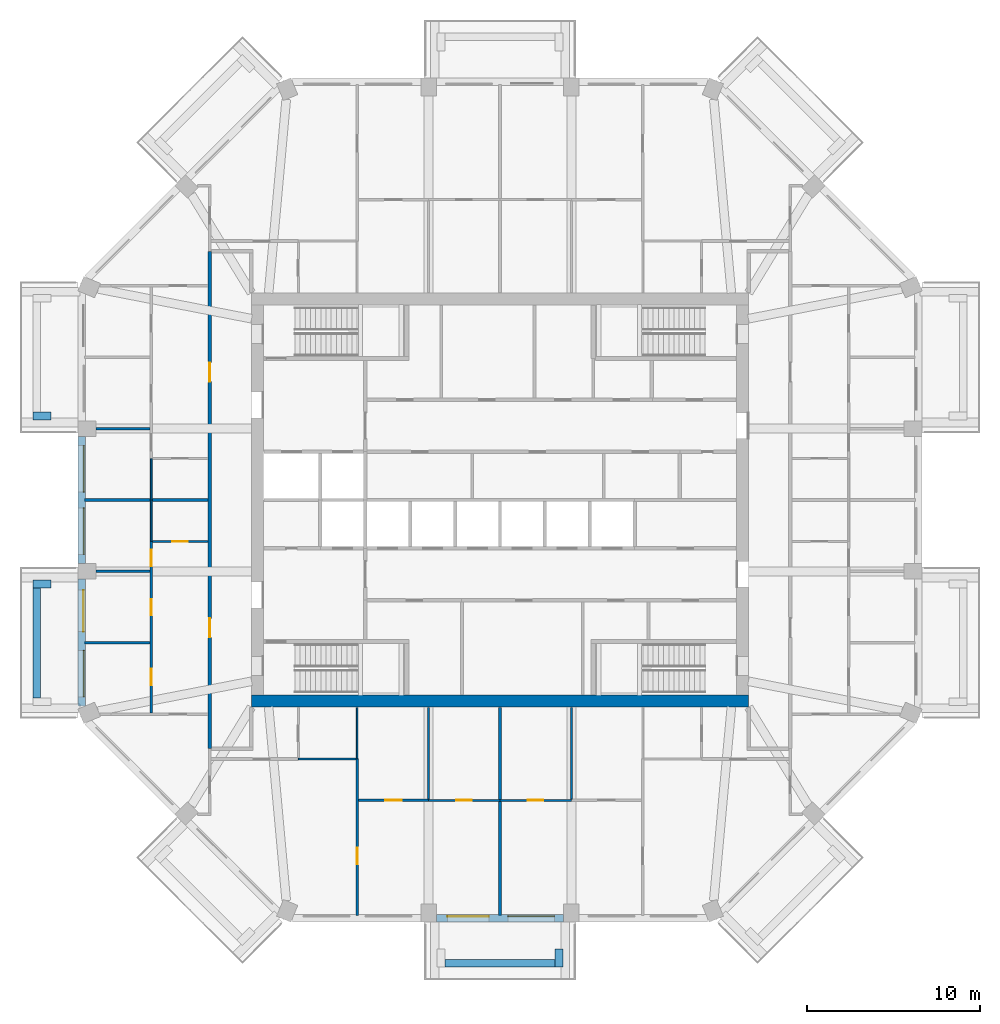
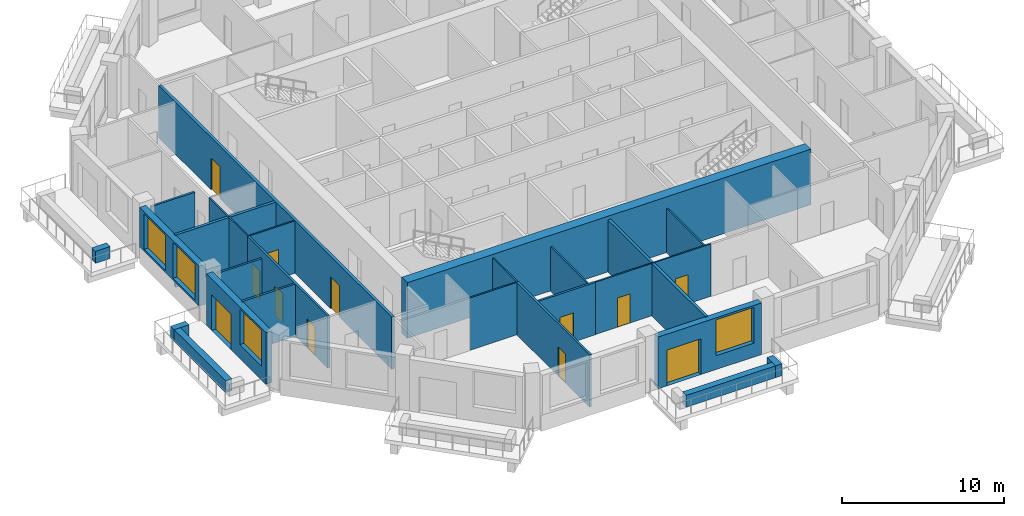
# One storey, part 3 of 12: 27 walls, 12 doors, 4 windows, 16 openings.
"""IFC4 building model written with IfcOpenShell, lengths in metres."""

import ifcopenshell
import ifcopenshell.guid

model = None  # the IFC model being written
_history = None  # IfcOwnerHistory: only IFC2X3 demands one
_inside = {}  # id of a spatial element -> (the spatial element, [elements in it])
_under = {}  # id of a project, library or spatial element -> (it, [spatial elements below it])
_declared = {}  # id of a project -> (the project, [libraries it declares])
_typed = {}  # id of a type object -> (the type object, [elements of that type])
_made_of = {}  # id of a material, layer set ... -> (it, [elements and type objects made of it])


def new_model(schema):
    """Start an empty IFC model of exactly this schema.

    Asked for "IFC4X3", IfcOpenShell would pick the latest addendum, in which some entities
    have other attributes; the version numbers below select the first issue.
    IFC2X3 requires an IfcOwnerHistory on every rooted entity: one is made here for all.
    """
    global model, _history
    if schema == "IFC4X3":
        model = ifcopenshell.file(schema_version=(4, 3, 0, 0))
    else:
        model = ifcopenshell.file(schema=schema)
    _inside.clear()
    _under.clear()
    _declared.clear()
    _typed.clear()
    _made_of.clear()
    _history = None
    if model.schema == "IFC2X3":
        org = make("IfcOrganization", Name="unknown")
        user = make(
            "IfcPersonAndOrganization",
            ThePerson=make("IfcPerson", FamilyName="unknown"),
            TheOrganization=org,
        )
        app = make(
            "IfcApplication",
            ApplicationDeveloper=org,
            Version="unknown",
            ApplicationFullName="unknown",
            ApplicationIdentifier="unknown",
        )
        _history = make(
            "IfcOwnerHistory",
            OwningUser=user,
            OwningApplication=app,
            ChangeAction="ADDED",
            CreationDate=0,
        )
    return model


def make(cls, **values):
    """One entity of the class cls with the attributes given. An attribute that is None is left unset."""
    return model.create_entity(
        cls, **{name: value for name, value in values.items() if value is not None}
    )


def rooted(cls, **values):
    """An entity with a GlobalId (a new one), such as an element, a storey or a relation."""
    return make(cls, GlobalId=ifcopenshell.guid.new(), OwnerHistory=_history, **values)


def si_unit(unit_type, name, prefix=None):
    """IfcSIUnit, for example si_unit("LENGTHUNIT", "METRE", prefix="MILLI")."""
    return make("IfcSIUnit", UnitType=unit_type, Prefix=prefix, Name=name)


def assignment(units):
    """IfcUnitAssignment: the units of a project."""
    return None if units is None else make("IfcUnitAssignment", Units=units)


def point(xyz):
    """IfcCartesianPoint."""
    return None if xyz is None else make("IfcCartesianPoint", Coordinates=xyz)


def direction(xyz):
    """IfcDirection."""
    return None if xyz is None else make("IfcDirection", DirectionRatios=xyz)


def frame(location, z_axis=None, x_axis=None):
    """IfcAxis2Placement3D, a coordinate frame: its origin and axes. An axis left out is left unset."""
    return make(
        "IfcAxis2Placement3D",
        Location=point(location),
        Axis=direction(z_axis),
        RefDirection=direction(x_axis),
    )


def frame_2d(location, x_axis=None):
    """IfcAxis2Placement2D, a coordinate frame in the plane: its origin and x axis."""
    return make(
        "IfcAxis2Placement2D", Location=point(location), RefDirection=direction(x_axis)
    )


def origin():
    """The frame at (0, 0, 0) with its axes left unset."""
    return frame((0.0, 0.0, 0.0))


def place(relative_to, where):
    """IfcLocalPlacement: puts the frame where relative to a parent placement (None: the world)."""
    return make(
        "IfcLocalPlacement", PlacementRelTo=relative_to, RelativePlacement=where
    )


def context(
    kind, dimensions, precision=None, world=None, true_north=None, identifier=None
):
    """IfcGeometricRepresentationContext, for example the 3D "Model" context."""
    return make(
        "IfcGeometricRepresentationContext",
        ContextIdentifier=identifier,
        ContextType=kind,
        CoordinateSpaceDimension=dimensions,
        Precision=precision,
        WorldCoordinateSystem=world,
        TrueNorth=true_north,
    )


def subcontext(parent, identifier, kind, view, scale=None):
    """IfcGeometricRepresentationSubContext, for example "Body" below "Model"."""
    return make(
        "IfcGeometricRepresentationSubContext",
        ContextIdentifier=identifier,
        ContextType=kind,
        ParentContext=parent,
        TargetScale=scale,
        TargetView=view,
    )


def project(units=None, contexts=None):
    """IfcProject with its units and contexts."""
    return rooted(
        "IfcProject",
        Name="project",
        RepresentationContexts=contexts,
        UnitsInContext=assignment(units),
    )


def spatial(cls, under=None, at=None, **own):
    """A site, building, storey or space (cls), placed at a placement, below another one or the project."""
    s = rooted(cls, ObjectPlacement=at, **own)
    if under is not None:
        _under.setdefault(under.id(), (under, []))[1].append(s)
    return s


def profile(cls, at=None, kind="AREA", **sizes):
    """A parametric profile (cls). Its sizes go by their IFC names, for example OverallWidth=200.0."""
    return make(cls, ProfileType=kind, Position=at, **sizes)


def rectangle(**sizes):
    """IfcRectangleProfileDef."""
    return profile("IfcRectangleProfileDef", **sizes)


def extrude(swept, where, along, depth):
    """IfcExtrudedAreaSolid: the profile swept, set in the frame where, extruded along a direction by depth."""
    return make(
        "IfcExtrudedAreaSolid",
        SweptArea=swept,
        Position=where,
        ExtrudedDirection=direction(along),
        Depth=depth,
    )


def shape(context_of_items, identifier, shape_type, items):
    """IfcShapeRepresentation: the items that make up one representation, for example the "Body"."""
    return make(
        "IfcShapeRepresentation",
        ContextOfItems=context_of_items,
        RepresentationIdentifier=identifier,
        RepresentationType=shape_type,
        Items=items,
    )


def material(Name=None, Category=None):
    """IfcMaterial."""
    return make("IfcMaterial", Name=Name, Category=Category)


def layer(
    of_material, thickness, ventilated=None, Name=None, Category=None, Priority=None
):
    """IfcMaterialLayer: one layer of a wall or slab, of a material (None: an air gap)."""
    return make(
        "IfcMaterialLayer",
        Material=of_material,
        LayerThickness=thickness,
        IsVentilated=ventilated,
        Name=Name,
        Category=Category,
        Priority=Priority,
    )


def layer_set(layers, Name=None):
    """IfcMaterialLayerSet."""
    return make("IfcMaterialLayerSet", MaterialLayers=layers, LayerSetName=Name)


def made_of(thing, what):
    """Note that an element or type object is made of a material, layer set ...; save() writes the relation."""
    if what is not None:
        _made_of.setdefault(what.id(), (what, []))[1].append(thing)
    return thing


def type_object(cls, material=None, **own):
    """A type object (cls), such as IfcWallType, which elements share."""
    return made_of(rooted(cls, **own), material)


def element(
    cls,
    number,
    at=None,
    inside=None,
    cuts=None,
    type_object=None,
    material=None,
    context=None,
    identifier="Body",
    shape_type=None,
    held_by="IfcProductDefinitionShape",
    body=None,
    shapes=None,
    **own,
):
    """One element of the class cls, such as IfcWall. Its Tag is "e" and its number.

    at: its placement. inside: the storey or other place that contains it. cuts: it is an
    opening in that element (IfcRelVoidsElement). A single representation is given by context,
    identifier, shape_type and body (its items); several are given by shapes. held_by: the class
    of the entity that holds the representations. save() writes the other relations.
    """
    e = rooted(cls, Tag="e%d" % number, ObjectPlacement=at, **own)
    if body is not None:
        shapes = [shape(context, identifier, shape_type, body)]
    if shapes is not None:
        e.Representation = make(held_by, Representations=shapes)
    if inside is not None:
        _inside.setdefault(inside.id(), (inside, []))[1].append(e)
    if cuts is not None:
        rooted(
            "IfcRelVoidsElement", RelatingBuildingElement=cuts, RelatedOpeningElement=e
        )
    if type_object is not None:
        _typed.setdefault(type_object.id(), (type_object, []))[1].append(e)
    return made_of(e, material)


def fill(opening, filler):
    """IfcRelFillsElement: the door or window that sits in an opening."""
    return rooted(
        "IfcRelFillsElement",
        RelatingOpeningElement=opening,
        RelatedBuildingElement=filler,
    )


def aggregate(whole, parts):
    """IfcRelAggregates: a whole, such as a stair, and the parts it consists of."""
    return rooted("IfcRelAggregates", RelatingObject=whole, RelatedObjects=parts)


def save(model, path):
    """Write the relations noted so far, then the file.

    IfcRelAggregates (storeys below a building ...), IfcRelContainedInSpatialStructure (elements
    in a storey), IfcRelDefinesByType, IfcRelAssociatesMaterial and IfcRelDeclares: one each for
    every whole, place, type object, material and project.
    """
    for whole, parts in _under.values():
        aggregate(whole, parts)
    for where, things in _inside.values():
        rooted(
            "IfcRelContainedInSpatialStructure",
            RelatedElements=things,
            RelatingStructure=where,
        )
    for kind, things in _typed.values():
        rooted("IfcRelDefinesByType", RelatedObjects=things, RelatingType=kind)
    for what, things in _made_of.values():
        rooted("IfcRelAssociatesMaterial", RelatedObjects=things, RelatingMaterial=what)
    for by, libraries in _declared.values():
        rooted("IfcRelDeclares", RelatingContext=by, RelatedDefinitions=libraries)
    model.write(path)


model = new_model("IFC4")

# Units and contexts
model_context = context("Model", 3, precision=1e-05, world=origin(), true_north=direction((0.0, 1.0)))
body_context = subcontext(model_context, "Body", "Model", "MODEL_VIEW")
ifc_project = project(units=[si_unit("LENGTHUNIT", "METRE"), si_unit("AREAUNIT", "SQUARE_METRE"), si_unit("VOLUMEUNIT", "CUBIC_METRE"), si_unit("PLANEANGLEUNIT", "RADIAN"), si_unit("MASSUNIT", "GRAM", prefix="KILO")], contexts=[model_context])

# Site, building, storey
site_placement = place(None, origin())
site = spatial("IfcSite", under=ifc_project, at=site_placement, CompositionType="ELEMENT")
building_placement = place(site_placement, origin())
building = spatial("IfcBuilding", under=site, at=building_placement, Name="Msitu Wima Residences", CompositionType="ELEMENT")
storey_placement = place(building_placement, frame((0.0, 0.0, 166.5)))
storey = spatial("IfcBuildingStorey", under=building, at=storey_placement, Name="L38", CompositionType="ELEMENT", Elevation=166.5)

# Walls
ifc_material_1 = material(Name="Facing brick")
ifc_layer_1 = layer(ifc_material_1, 0.06494140625, Name="Facing brick")
ifc_material_2 = material(Name="Concrete C40/50", Category="concrete")
ifc_layer_2 = layer(ifc_material_2, 0.156005859375, Name="Concrete C40/50")
ifc_material_3 = material(Name="Waterproofing membrane")
ifc_layer_3 = layer(ifc_material_3, 0.00390625, Name="Waterproofing membrane")
ifc_material_4 = material(Name="Planting soil and planting")
ifc_layer_4 = layer(ifc_material_4, 0.22509765625, Name="Planting soil and planting")
ifc_layer_set_1 = layer_set([ifc_layer_1, ifc_layer_2, ifc_layer_3, ifc_layer_4], Name="Concrete C40/50")
wall_type_1 = type_object("IfcWallType", Name="Balcony planter PLANTER PL450", PredefinedType="USERDEFINED", material=ifc_layer_set_1)
wall_1_placement = place(storey_placement, frame((-26.0, 4.8623046875, 0.0), z_axis=(0.0, 0.0, 1.0), x_axis=(-1.0, 0.0, 0.0)))
element("IfcWall", 1, at=wall_1_placement, inside=storey, type_object=wall_type_1, Name="Balcony planter W0 L38", ObjectType="PLANTER", PredefinedType="USERDEFINED", context=body_context, shape_type="SweptSolid", body=[
    extrude(rectangle(XDim=1.050048828125, YDim=0.449951171875, at=frame_2d((0.52490234375, 0.0))), origin(), (0.0, 0.0, 1.0), 0.89990234375),
])
wall_2_placement = place(storey_placement, frame((-26.824951171875, -5.087158203125, 0.0), z_axis=(0.0, 0.0, 1.0), x_axis=(0.0, -1.0, 0.0)))
element("IfcWall", 2, at=wall_2_placement, inside=storey, type_object=wall_type_1, Name="Balcony planter W2 L38", ObjectType="PLANTER", PredefinedType="USERDEFINED", context=body_context, shape_type="SweptSolid", body=[
    extrude(rectangle(XDim=6.37451171875, YDim=0.449951171875, at=frame_2d((3.187255859375, 0.0))), origin(), (0.0, 0.0, 1.0), 0.89990234375),
])
wall_3_placement = place(storey_placement, frame((-26.0, -4.8623046875, 0.0), z_axis=(0.0, 0.0, 1.0), x_axis=(-1.0, 0.0, 0.0)))
element("IfcWall", 3, at=wall_3_placement, inside=storey, type_object=wall_type_1, Name="Balcony planter W2 L38", ObjectType="PLANTER", PredefinedType="USERDEFINED", context=body_context, shape_type="SweptSolid", body=[
    extrude(rectangle(XDim=1.050048828125, YDim=0.449951171875, at=frame_2d((0.52490234375, 0.0))), origin(), (0.0, 0.0, 1.0), 0.89990234375),
])
wall_4_placement = place(storey_placement, frame((-3.187255859375, -26.824951171875, 0.0), z_axis=(0.0, 0.0, 1.0), x_axis=(1.0, 0.0, 0.0)))
element("IfcWall", 4, at=wall_4_placement, inside=storey, type_object=wall_type_1, Name="Balcony planter S1 L38", ObjectType="PLANTER", PredefinedType="USERDEFINED", context=body_context, shape_type="SweptSolid", body=[
    extrude(rectangle(XDim=6.37451171875, YDim=0.449951171875, at=frame_2d((3.187255859375, 0.0))), origin(), (0.0, 0.0, 1.0), 0.89990234375),
])
wall_5_placement = place(storey_placement, frame((3.412353515625, -26.0, 0.0), z_axis=(0.0, 0.0, 1.0), x_axis=(0.0, -1.0, 0.0)))
element("IfcWall", 5, at=wall_5_placement, inside=storey, type_object=wall_type_1, Name="Balcony planter S1 L38", ObjectType="PLANTER", PredefinedType="USERDEFINED", context=body_context, shape_type="SweptSolid", body=[
    extrude(rectangle(XDim=1.050048828125, YDim=0.449951171875, at=frame_2d((0.52490234375, 0.0))), origin(), (0.0, 0.0, 1.0), 0.89990234375),
])

# Wall, openings, windows
ifc_material_5 = material(Name="Brick (red buff mix)", Category="masonry")
ifc_layer_5 = layer(ifc_material_5, 0.449951171875)
ifc_layer_set_2 = layer_set([ifc_layer_5], Name="Brick (red buff mix)")
wall_type_2 = type_object("IfcWallType", Name="Brick infill wall BW450", PredefinedType="SOLIDWALL", material=ifc_layer_set_2)
wall_6_placement = place(storey_placement, frame((-24.22509765625, 3.687255859375, 0.89990234375), z_axis=(0.0, 0.0, 1.0), x_axis=(0.0, -1.0, 0.0)))
wall_6 = element("IfcWall", 6, at=wall_6_placement, inside=storey, type_object=wall_type_2, Name="Brick infill wall L38 W1", PredefinedType="SOLIDWALL", context=body_context, shape_type="SweptSolid", body=[
    extrude(rectangle(XDim=7.37451171875, YDim=0.449951171875, at=frame_2d((3.687255859375, 0.0))), origin(), (0.0, 0.0, 1.0), 3.0),
])
opening_1_placement = place(wall_6_placement, frame((0.537353515625, 0.0, 0.14990234375)))
opening_1 = element("IfcOpeningElement", 7, at=opening_1_placement, cuts=wall_6, Name="Opening W38-39.028", PredefinedType="OPENING", context=body_context, shape_type="SweptSolid", body=[
    extrude(rectangle(XDim=2.699951171875, YDim=2.699951171875, at=frame_2d((1.35009765625, 1.35009765625))), frame((0.0, 0.23486328125, 0.0), z_axis=(0.0, -1.0, 0.0), x_axis=(1.0, 0.0, 0.0)), (0.0, 0.0, 1.0), 0.469970703125),
])
opening_2_placement = place(wall_6_placement, frame((4.13720703125, 0.0, 0.14990234375)))
opening_2 = element("IfcOpeningElement", 8, at=opening_2_placement, cuts=wall_6, Name="Opening W38-39.029", PredefinedType="OPENING", context=body_context, shape_type="SweptSolid", body=[
    extrude(rectangle(XDim=2.699951171875, YDim=2.699951171875, at=frame_2d((1.35009765625, 1.35009765625))), frame((0.0, 0.23486328125, 0.0), z_axis=(0.0, -1.0, 0.0), x_axis=(1.0, 0.0, 0.0)), (0.0, 0.0, 1.0), 0.469970703125),
])
ifc_material_6 = material(Name="Anodised aluminium, bronze finish, clear low-emissivity double glazing", Category="aluminium")
window_type = type_object("IfcWindowType", Name="Window W2700x2700", PartitioningType="DOUBLE_PANEL_VERTICAL", PredefinedType="WINDOW", material=ifc_material_6)
window_1_placement = place(opening_1_placement, origin())
window_1 = element("IfcWindow", 9, at=window_1_placement, inside=storey, type_object=window_type, Name="Window L38 W1.1", OverallHeight=2.699951171875, OverallWidth=2.699951171875, PartitioningType="SINGLE_PANEL", PredefinedType="WINDOW", context=body_context, shape_type="SweptSolid", body=[
    extrude(rectangle(XDim=2.699951171875, YDim=2.699951171875, at=frame_2d((1.35009765625, 1.35009765625))), frame((0.0, 0.135009765625, 0.0), z_axis=(0.0, -1.0, 0.0), x_axis=(1.0, 0.0, 0.0)), (0.0, 0.0, 1.0), 0.06005859375),
])
fill(opening_1, window_1)
window_2_placement = place(opening_2_placement, origin())
window_2 = element("IfcWindow", 10, at=window_2_placement, inside=storey, type_object=window_type, Name="Window L38 W1.2", OverallHeight=2.699951171875, OverallWidth=2.699951171875, PartitioningType="SINGLE_PANEL", PredefinedType="WINDOW", context=body_context, shape_type="SweptSolid", body=[
    extrude(rectangle(XDim=2.699951171875, YDim=2.699951171875, at=frame_2d((1.35009765625, 1.35009765625))), frame((0.0, 0.135009765625, 0.0), z_axis=(0.0, -1.0, 0.0), x_axis=(1.0, 0.0, 0.0)), (0.0, 0.0, 1.0), 0.06005859375),
])
fill(opening_2, window_2)

# Wall, openings, door, window
wall_7_placement = place(storey_placement, frame((-24.22509765625, -4.587158203125, 0.0), z_axis=(0.0, 0.0, 1.0), x_axis=(0.0, -1.0, 0.0)))
wall_7 = element("IfcWall", 11, at=wall_7_placement, inside=storey, type_object=wall_type_2, Name="Brick infill wall L38 W2", PredefinedType="SOLIDWALL", context=body_context, shape_type="SweptSolid", body=[
    extrude(rectangle(XDim=7.337646484375, YDim=0.449951171875, at=frame_2d((3.6689453125, 0.0))), origin(), (0.0, 0.0, 1.0), 3.89990234375),
])
opening_3_placement = place(wall_7_placement, frame((0.63427734375, 0.0, 0.0)))
opening_3 = element("IfcOpeningElement", 12, at=opening_3_placement, cuts=wall_7, Name="Opening D38-39.010", PredefinedType="OPENING", context=body_context, shape_type="SweptSolid", body=[
    extrude(rectangle(XDim=2.39990234375, YDim=2.699951171875, at=frame_2d((1.199951171875, 1.35009765625))), frame((0.0, 0.23486328125, 0.0), z_axis=(0.0, -1.0, 0.0), x_axis=(1.0, 0.0, 0.0)), (0.0, 0.0, 1.0), 0.469970703125),
])
opening_4_placement = place(wall_7_placement, frame((4.11865234375, 0.0, 1.050048828125)))
opening_4 = element("IfcOpeningElement", 13, at=opening_4_placement, cuts=wall_7, Name="Opening W38-39.030", PredefinedType="OPENING", context=body_context, shape_type="SweptSolid", body=[
    extrude(rectangle(XDim=2.699951171875, YDim=2.699951171875, at=frame_2d((1.35009765625, 1.35009765625))), frame((0.0, 0.23486328125, 0.0), z_axis=(0.0, -1.0, 0.0), x_axis=(1.0, 0.0, 0.0)), (0.0, 0.0, 1.0), 0.469970703125),
])
door_type_1 = type_object("IfcDoorType", Name="Balcony door D2400x2700", OperationType="SLIDING_TO_LEFT", PredefinedType="DOOR", material=ifc_material_6)
door_1_placement = place(opening_3_placement, origin())
door_1 = element("IfcDoor", 14, at=door_1_placement, inside=storey, type_object=door_type_1, Name="Balcony door L38 W2", OperationType="SINGLE_SWING_LEFT", OverallHeight=2.699951171875, OverallWidth=2.39990234375, PredefinedType="DOOR", context=body_context, shape_type="SweptSolid", body=[
    extrude(rectangle(XDim=2.39990234375, YDim=2.699951171875, at=frame_2d((1.199951171875, 1.35009765625))), frame((0.0, 0.1298828125, 0.0), z_axis=(0.0, -1.0, 0.0), x_axis=(1.0, 0.0, 0.0)), (0.0, 0.0, 1.0), 0.050048828125),
])
fill(opening_3, door_1)
window_3_placement = place(opening_4_placement, origin())
window_3 = element("IfcWindow", 15, at=window_3_placement, inside=storey, type_object=window_type, Name="Window L38 W2.2", OverallHeight=2.699951171875, OverallWidth=2.699951171875, PartitioningType="SINGLE_PANEL", PredefinedType="WINDOW", context=body_context, shape_type="SweptSolid", body=[
    extrude(rectangle(XDim=2.699951171875, YDim=2.699951171875, at=frame_2d((1.35009765625, 1.35009765625))), frame((0.0, 0.135009765625, 0.0), z_axis=(0.0, -1.0, 0.0), x_axis=(1.0, 0.0, 0.0)), (0.0, 0.0, 1.0), 0.06005859375),
])
fill(opening_4, window_3)

wall_8_placement = place(storey_placement, frame((-3.687255859375, -24.22509765625, 0.0), z_axis=(0.0, 0.0, 1.0), x_axis=(1.0, 0.0, 0.0)))
wall_8 = element("IfcWall", 16, at=wall_8_placement, inside=storey, type_object=wall_type_2, Name="Brick infill wall L38 S1", PredefinedType="SOLIDWALL", context=body_context, shape_type="SweptSolid", body=[
    extrude(rectangle(XDim=7.37451171875, YDim=0.449951171875, at=frame_2d((3.687255859375, 0.0))), origin(), (0.0, 0.0, 1.0), 3.89990234375),
])
opening_5_placement = place(wall_8_placement, frame((0.6435546875, 0.0, 0.0)))
opening_5 = element("IfcOpeningElement", 17, at=opening_5_placement, cuts=wall_8, Name="Opening D38-39.006", PredefinedType="OPENING", context=body_context, shape_type="SweptSolid", body=[
    extrude(rectangle(XDim=2.39990234375, YDim=2.699951171875, at=frame_2d((1.199951171875, 1.35009765625))), frame((0.0, 0.23486328125, 0.0), z_axis=(0.0, -1.0, 0.0), x_axis=(1.0, 0.0, 0.0)), (0.0, 0.0, 1.0), 0.469970703125),
])
opening_6_placement = place(wall_8_placement, frame((4.13720703125, 0.0, 1.050048828125)))
opening_6 = element("IfcOpeningElement", 18, at=opening_6_placement, cuts=wall_8, Name="Opening W38-39.018", PredefinedType="OPENING", context=body_context, shape_type="SweptSolid", body=[
    extrude(rectangle(XDim=2.699951171875, YDim=2.699951171875, at=frame_2d((1.35009765625, 1.35009765625))), frame((0.0, 0.23486328125, 0.0), z_axis=(0.0, -1.0, 0.0), x_axis=(1.0, 0.0, 0.0)), (0.0, 0.0, 1.0), 0.469970703125),
])
door_2_placement = place(opening_5_placement, origin())
door_2 = element("IfcDoor", 19, at=door_2_placement, inside=storey, type_object=door_type_1, Name="Balcony door L38 S1", OperationType="SINGLE_SWING_LEFT", OverallHeight=2.699951171875, OverallWidth=2.39990234375, PredefinedType="DOOR", context=body_context, shape_type="SweptSolid", body=[
    extrude(rectangle(XDim=2.39990234375, YDim=2.699951171875, at=frame_2d((1.199951171875, 1.35009765625))), frame((0.0, 0.1298828125, 0.0), z_axis=(0.0, -1.0, 0.0), x_axis=(1.0, 0.0, 0.0)), (0.0, 0.0, 1.0), 0.050048828125),
])
fill(opening_5, door_2)
window_4_placement = place(opening_6_placement, origin())
window_4 = element("IfcWindow", 20, at=window_4_placement, inside=storey, type_object=window_type, Name="Window L38 S1.2", OverallHeight=2.699951171875, OverallWidth=2.699951171875, PartitioningType="SINGLE_PANEL", PredefinedType="WINDOW", context=body_context, shape_type="SweptSolid", body=[
    extrude(rectangle(XDim=2.699951171875, YDim=2.699951171875, at=frame_2d((1.35009765625, 1.35009765625))), frame((0.0, 0.135009765625, 0.0), z_axis=(0.0, -1.0, 0.0), x_axis=(1.0, 0.0, 0.0)), (0.0, 0.0, 1.0), 0.06005859375),
])
fill(opening_6, window_4)

# Wall
ifc_material_7 = material(Name="Concrete C60/75", Category="concrete")
ifc_layer_6 = layer(ifc_material_7, 0.699951171875)
ifc_layer_set_3 = layer_set([ifc_layer_6], Name="Concrete C60/75")
wall_type_3 = type_object("IfcWallType", Name="Core wall CW700 C60/75", PredefinedType="SHEAR", material=ifc_layer_set_3)
wall_9_placement = place(storey_placement, frame((-14.39990234375, -11.64990234375, 0.0), z_axis=(0.0, 0.0, 1.0), x_axis=(1.0, 0.0, 0.0)))
element("IfcWall", 21, at=wall_9_placement, inside=storey, type_object=wall_type_3, Name="Core wall", PredefinedType="SHEAR", context=body_context, shape_type="SweptSolid", body=[
    extrude(rectangle(XDim=28.7998046875, YDim=0.699951171875, at=frame_2d((14.39990234375, 0.0))), origin(), (0.0, 0.0, 1.0), 4.199951171875),
])

# Wall, openings, doors
ifc_material_8 = material(Name="Plaster")
ifc_layer_7 = layer(ifc_material_8, 0.011962890625, Name="Plaster")
ifc_material_9 = material(Name="Concrete blockwork", Category="masonry")
ifc_layer_8 = layer(ifc_material_9, 0.176025390625, Name="Concrete blockwork")
ifc_layer_9 = layer(ifc_material_8, 0.011962890625, Name="Plaster")
ifc_layer_set_4 = layer_set([ifc_layer_7, ifc_layer_8, ifc_layer_9], Name="Concrete blockwork")
wall_type_4 = type_object("IfcWallType", Name="Corridor wall FW200", PredefinedType="PARTITIONING", material=ifc_layer_set_4)
wall_10_placement = place(storey_placement, frame((-16.800048828125, -14.39990234375, 0.0), z_axis=(0.0, 0.0, 1.0), x_axis=(0.0, 1.0, 0.0)))
wall_10 = element("IfcWall", 22, at=wall_10_placement, inside=storey, type_object=wall_type_4, Name="Corridor wall", PredefinedType="PARTITIONING", context=body_context, shape_type="SweptSolid", body=[
    extrude(rectangle(XDim=28.7998046875, YDim=0.199951171875, at=frame_2d((14.39990234375, 0.0))), origin(), (0.0, 0.0, 1.0), 3.949951171875),
])
opening_7_placement = place(wall_10_placement, frame((21.25, 0.0, 0.0)))
opening_7 = element("IfcOpeningElement", 23, at=opening_7_placement, cuts=wall_10, Name="Opening D38-39.023", PredefinedType="OPENING", context=body_context, shape_type="SweptSolid", body=[
    extrude(rectangle(XDim=1.10009765625, YDim=2.39990234375, at=frame_2d((0.550048828125, 1.199951171875))), frame((0.0, 0.10986328125, 0.0), z_axis=(0.0, -1.0, 0.0), x_axis=(1.0, 0.0, 0.0)), (0.0, 0.0, 1.0), 0.219970703125),
])
opening_8_placement = place(wall_10_placement, frame((6.449951171875, 0.0, 0.0)))
opening_8 = element("IfcOpeningElement", 24, at=opening_8_placement, cuts=wall_10, Name="Opening D38-39.035", PredefinedType="OPENING", context=body_context, shape_type="SweptSolid", body=[
    extrude(rectangle(XDim=1.10009765625, YDim=2.39990234375, at=frame_2d((0.550048828125, 1.199951171875))), frame((0.0, 0.10986328125, 0.0), z_axis=(0.0, -1.0, 0.0), x_axis=(1.0, 0.0, 0.0)), (0.0, 0.0, 1.0), 0.219970703125),
])
ifc_material_10 = material(Name="Timber flush door, fire resisting, self-closing", Category="wood")
door_type_2 = type_object("IfcDoorType", Name="Flat entrance door D01 1100x2400", OperationType="SINGLE_SWING_LEFT", PredefinedType="DOOR", material=ifc_material_10)
door_3_placement = place(opening_7_placement, origin())
door_3 = element("IfcDoor", 25, at=door_3_placement, inside=storey, type_object=door_type_2, Name="Flat entrance door", OperationType="SINGLE_SWING_RIGHT", OverallHeight=2.39990234375, OverallWidth=1.10009765625, PredefinedType="DOOR", context=body_context, shape_type="SweptSolid", body=[
    extrude(rectangle(XDim=1.10009765625, YDim=2.39990234375, at=frame_2d((0.550048828125, 1.199951171875))), frame((0.0, 0.02490234375, 0.0), z_axis=(0.0, -1.0, 0.0), x_axis=(1.0, 0.0, 0.0)), (0.0, 0.0, 1.0), 0.050048828125),
])
fill(opening_7, door_3)
door_4_placement = place(opening_8_placement, origin())
door_4 = element("IfcDoor", 26, at=door_4_placement, inside=storey, type_object=door_type_2, Name="Flat entrance door", OperationType="SINGLE_SWING_LEFT", OverallHeight=2.39990234375, OverallWidth=1.10009765625, PredefinedType="DOOR", context=body_context, shape_type="SweptSolid", body=[
    extrude(rectangle(XDim=1.10009765625, YDim=2.39990234375, at=frame_2d((0.550048828125, 1.199951171875))), frame((0.0, 0.02490234375, 0.0), z_axis=(0.0, -1.0, 0.0), x_axis=(1.0, 0.0, 0.0)), (0.0, 0.0, 1.0), 0.050048828125),
])
fill(opening_8, door_4)

# Walls
ifc_layer_10 = layer(ifc_material_8, 0.011962890625, Name="Plaster")
ifc_layer_11 = layer(ifc_material_9, 0.1259765625, Name="Concrete blockwork")
ifc_layer_12 = layer(ifc_material_8, 0.011962890625, Name="Plaster")
ifc_layer_set_5 = layer_set([ifc_layer_10, ifc_layer_11, ifc_layer_12], Name="Concrete blockwork")
wall_type_5 = type_object("IfcWallType", Name="Partition PW150", PredefinedType="PARTITIONING", material=ifc_layer_set_5)
wall_11_placement = place(storey_placement, frame((-24.054931640625, -8.2744140625, 0.0), z_axis=(0.0, 0.0, 1.0), x_axis=(1.0, 0.0, 0.0)))
element("IfcWall", 27, at=wall_11_placement, inside=storey, type_object=wall_type_5, Name="Partition", PredefinedType="PARTITIONING", context=body_context, shape_type="SweptSolid", body=[
    extrude(rectangle(XDim=3.780029296875, YDim=0.14990234375, at=frame_2d((1.89013671875, 0.0))), origin(), (0.0, 0.0, 1.0), 3.949951171875),
])
for number, where, z_axis, x_axis, name in (
    (28, (-23.39990234375, -4.13720703125, 0.0), (0.0, 0.0, 1.0), (1.0, 0.0, 0.0), "Partition"),
    (29, (-23.39990234375, 4.13720703125, 0.0), (0.0, 0.0, 1.0), (1.0, 0.0, 0.0), "Partition"),
):
    element("IfcWall", number, at=place(storey_placement, frame(where, z_axis=z_axis, x_axis=x_axis)), inside=storey, type_object=wall_type_5, Name=name, PredefinedType="PARTITIONING", context=body_context, shape_type="SweptSolid", body=[
        extrude(rectangle(XDim=3.125, YDim=0.14990234375, at=frame_2d((1.5625, 0.0))), origin(), (0.0, 0.0, 1.0), 3.35009765625),
    ])

# Wall, openings, doors
wall_12_placement = place(storey_placement, frame((-20.199951171875, -12.336669921875, 0.0), z_axis=(0.0, 0.0, 1.0), x_axis=(0.0, 1.0, 0.0)))
wall_12 = element("IfcWall", 30, at=wall_12_placement, inside=storey, type_object=wall_type_5, Name="Partition", PredefinedType="PARTITIONING", context=body_context, shape_type="SweptSolid", body=[
    extrude(rectangle(XDim=9.936767578125, YDim=0.14990234375, at=frame_2d((4.96826171875, 0.0))), origin(), (0.0, 0.0, 1.0), 3.949951171875),
])
opening_9_placement = place(wall_12_placement, frame((8.5, 0.0, 0.0)))
opening_9 = element("IfcOpeningElement", 31, at=opening_9_placement, cuts=wall_12, Name="Opening D38-39.039", PredefinedType="OPENING", context=body_context, shape_type="SweptSolid", body=[
    extrude(rectangle(XDim=0.949951171875, YDim=2.199951171875, at=frame_2d((0.47509765625, 1.10009765625))), frame((0.0, 0.0849609375, 0.0), z_axis=(0.0, -1.0, 0.0), x_axis=(1.0, 0.0, 0.0)), (0.0, 0.0, 1.0), 0.169921875),
])
opening_10_placement = place(wall_12_placement, frame((5.64990234375, 0.0, 0.0)))
opening_10 = element("IfcOpeningElement", 32, at=opening_10_placement, cuts=wall_12, Name="Opening D38-39.040", PredefinedType="OPENING", context=body_context, shape_type="SweptSolid", body=[
    extrude(rectangle(XDim=0.949951171875, YDim=2.199951171875, at=frame_2d((0.47509765625, 1.10009765625))), frame((0.0, 0.0849609375, 0.0), z_axis=(0.0, -1.0, 0.0), x_axis=(1.0, 0.0, 0.0)), (0.0, 0.0, 1.0), 0.169921875),
])
opening_11_placement = place(wall_12_placement, frame((1.60009765625, 0.0, 0.0)))
opening_11 = element("IfcOpeningElement", 33, at=opening_11_placement, cuts=wall_12, Name="Opening D38-39.041", PredefinedType="OPENING", context=body_context, shape_type="SweptSolid", body=[
    extrude(rectangle(XDim=0.949951171875, YDim=2.199951171875, at=frame_2d((0.47509765625, 1.10009765625))), frame((0.0, 0.0849609375, 0.0), z_axis=(0.0, -1.0, 0.0), x_axis=(1.0, 0.0, 0.0)), (0.0, 0.0, 1.0), 0.169921875),
])
ifc_material_11 = material(Name="Timber flush door", Category="wood")
door_type_3 = type_object("IfcDoorType", Name="Room door D12 950x2200", OperationType="SINGLE_SWING_LEFT", PredefinedType="DOOR", material=ifc_material_11)
door_5_placement = place(opening_9_placement, origin())
door_5 = element("IfcDoor", 34, at=door_5_placement, inside=storey, type_object=door_type_3, Name="Room door", OperationType="SINGLE_SWING_LEFT", OverallHeight=2.199951171875, OverallWidth=0.949951171875, PredefinedType="DOOR", context=body_context, shape_type="SweptSolid", body=[
    extrude(rectangle(XDim=0.949951171875, YDim=2.199951171875, at=frame_2d((0.47509765625, 1.10009765625))), frame((0.0, 0.02490234375, 0.0), z_axis=(0.0, -1.0, 0.0), x_axis=(1.0, 0.0, 0.0)), (0.0, 0.0, 1.0), 0.050048828125),
])
fill(opening_9, door_5)
door_6_placement = place(opening_10_placement, origin())
door_6 = element("IfcDoor", 35, at=door_6_placement, inside=storey, type_object=door_type_3, Name="Room door", OperationType="SINGLE_SWING_LEFT", OverallHeight=2.199951171875, OverallWidth=0.949951171875, PredefinedType="DOOR", context=body_context, shape_type="SweptSolid", body=[
    extrude(rectangle(XDim=0.949951171875, YDim=2.199951171875, at=frame_2d((0.47509765625, 1.10009765625))), frame((0.0, 0.02490234375, 0.0), z_axis=(0.0, -1.0, 0.0), x_axis=(1.0, 0.0, 0.0)), (0.0, 0.0, 1.0), 0.050048828125),
])
fill(opening_10, door_6)
door_7_placement = place(opening_11_placement, origin())
door_7 = element("IfcDoor", 36, at=door_7_placement, inside=storey, type_object=door_type_3, Name="Room door", OperationType="SINGLE_SWING_RIGHT", OverallHeight=2.199951171875, OverallWidth=0.949951171875, PredefinedType="DOOR", context=body_context, shape_type="SweptSolid", body=[
    extrude(rectangle(XDim=0.949951171875, YDim=2.199951171875, at=frame_2d((0.47509765625, 1.10009765625))), frame((0.0, 0.02490234375, 0.0), z_axis=(0.0, -1.0, 0.0), x_axis=(1.0, 0.0, 0.0)), (0.0, 0.0, 1.0), 0.050048828125),
])
fill(opening_11, door_7)

# Wall, opening, door
wall_13_placement = place(storey_placement, frame((-8.2744140625, -24.054931640625, 0.0), z_axis=(0.0, 0.0, 1.0), x_axis=(0.0, 1.0, 0.0)))
wall_13 = element("IfcWall", 37, at=wall_13_placement, inside=storey, type_object=wall_type_5, Name="Partition", PredefinedType="PARTITIONING", context=body_context, shape_type="SweptSolid", body=[
    extrude(rectangle(XDim=9.074951171875, YDim=0.14990234375, at=frame_2d((4.53759765625, 0.0))), origin(), (0.0, 0.0, 1.0), 3.949951171875),
])
opening_12_placement = place(wall_13_placement, frame((2.949951171875, 0.0, 0.0)))
opening_12 = element("IfcOpeningElement", 38, at=opening_12_placement, cuts=wall_13, Name="Opening D38-39.044", PredefinedType="OPENING", context=body_context, shape_type="SweptSolid", body=[
    extrude(rectangle(XDim=0.949951171875, YDim=2.199951171875, at=frame_2d((0.47509765625, 1.10009765625))), frame((0.0, 0.0849609375, 0.0), z_axis=(0.0, -1.0, 0.0), x_axis=(1.0, 0.0, 0.0)), (0.0, 0.0, 1.0), 0.169921875),
])
door_8_placement = place(opening_12_placement, origin())
door_8 = element("IfcDoor", 39, at=door_8_placement, inside=storey, type_object=door_type_3, Name="Room door", OperationType="SINGLE_SWING_LEFT", OverallHeight=2.199951171875, OverallWidth=0.949951171875, PredefinedType="DOOR", context=body_context, shape_type="SweptSolid", body=[
    extrude(rectangle(XDim=0.949951171875, YDim=2.199951171875, at=frame_2d((0.47509765625, 1.10009765625))), frame((0.0, 0.02490234375, 0.0), z_axis=(0.0, -1.0, 0.0), x_axis=(1.0, 0.0, 0.0)), (0.0, 0.0, 1.0), 0.050048828125),
])
fill(opening_12, door_8)

wall_14_placement = place(storey_placement, frame((-8.199462890625, -17.39990234375, 0.0), z_axis=(0.0, 0.0, 1.0), x_axis=(1.0, 0.0, 0.0)))
wall_14 = element("IfcWall", 40, at=wall_14_placement, inside=storey, type_object=wall_type_5, Name="Partition", PredefinedType="PARTITIONING", context=body_context, shape_type="SweptSolid", body=[
    extrude(rectangle(XDim=4.062255859375, YDim=0.14990234375, at=frame_2d((2.03125, 0.0))), origin(), (0.0, 0.0, 1.0), 3.949951171875),
])
opening_13_placement = place(wall_14_placement, frame((1.550048828125, 0.0, 0.0)))
opening_13 = element("IfcOpeningElement", 41, at=opening_13_placement, cuts=wall_14, Name="Opening D38-39.037", PredefinedType="OPENING", context=body_context, shape_type="SweptSolid", body=[
    extrude(rectangle(XDim=0.949951171875, YDim=2.199951171875, at=frame_2d((0.47509765625, 1.10009765625))), frame((0.0, 0.0849609375, 0.0), z_axis=(0.0, -1.0, 0.0), x_axis=(1.0, 0.0, 0.0)), (0.0, 0.0, 1.0), 0.169921875),
])
door_9_placement = place(opening_13_placement, origin())
door_9 = element("IfcDoor", 42, at=door_9_placement, inside=storey, type_object=door_type_3, Name="Room door", OperationType="SINGLE_SWING_RIGHT", OverallHeight=2.199951171875, OverallWidth=0.949951171875, PredefinedType="DOOR", context=body_context, shape_type="SweptSolid", body=[
    extrude(rectangle(XDim=0.949951171875, YDim=2.199951171875, at=frame_2d((0.47509765625, 1.10009765625))), frame((0.0, 0.02490234375, 0.0), z_axis=(0.0, -1.0, 0.0), x_axis=(1.0, 0.0, 0.0)), (0.0, 0.0, 1.0), 0.050048828125),
])
fill(opening_13, door_9)

# Walls
ifc_layer_13 = layer(ifc_material_8, 0.011962890625, Name="Plaster")
ifc_material_12 = material(Name="Dense concrete blockwork", Category="masonry")
ifc_layer_14 = layer(ifc_material_12, 0.176025390625, Name="Dense concrete blockwork")
ifc_layer_15 = layer(ifc_material_8, 0.011962890625, Name="Plaster")
ifc_layer_set_6 = layer_set([ifc_layer_13, ifc_layer_14, ifc_layer_15], Name="Dense concrete blockwork")
wall_type_6 = type_object("IfcWallType", Name="Party wall PW200", PredefinedType="PARTITIONING", material=ifc_layer_set_6)
wall_15_placement = place(storey_placement, frame((-24.054931640625, 0.0, 0.0), z_axis=(0.0, 0.0, 1.0), x_axis=(1.0, 0.0, 0.0)))
element("IfcWall", 43, at=wall_15_placement, inside=storey, type_object=wall_type_6, Name="Party wall", PredefinedType="PARTITIONING", context=body_context, shape_type="SweptSolid", body=[
    extrude(rectangle(XDim=7.155029296875, YDim=0.199951171875, at=frame_2d((3.57763671875, 0.0))), origin(), (0.0, 0.0, 1.0), 3.949951171875),
])
wall_16_placement = place(storey_placement, frame((0.0, -24.054931640625, 0.0), z_axis=(0.0, 0.0, 1.0), x_axis=(0.0, 1.0, 0.0)))
element("IfcWall", 44, at=wall_16_placement, inside=storey, type_object=wall_type_6, Name="Party wall", PredefinedType="PARTITIONING", context=body_context, shape_type="SweptSolid", body=[
    extrude(rectangle(XDim=12.02490234375, YDim=0.199951171875, at=frame_2d((6.012451171875, 0.0))), origin(), (0.0, 0.0, 1.0), 3.949951171875),
])
ifc_material_13 = material(Name="Ceramic tiles")
ifc_layer_16 = layer(ifc_material_13, 0.008056640625, Name="Ceramic tiles")
ifc_material_14 = material(Name="Moisture-resistant board")
ifc_layer_17 = layer(ifc_material_14, 0.012451171875, Name="Moisture-resistant board")
ifc_material_15 = material(Name="Light-gauge stud framing with mineral wool")
ifc_layer_18 = layer(ifc_material_15, 0.06689453125, Name="Light-gauge stud framing with mineral wool")
ifc_layer_19 = layer(ifc_material_14, 0.012451171875, Name="Moisture-resistant board")
ifc_layer_set_7 = layer_set([ifc_layer_16, ifc_layer_17, ifc_layer_18, ifc_layer_19], Name="Light-gauge stud framing with mineral wool")
wall_type_7 = type_object("IfcWallType", Name="Wet wall PW100", PredefinedType="PARTITIONING", material=ifc_layer_set_7)
wall_17_placement = place(storey_placement, frame((-20.199951171875, -2.39990234375, 0.0), z_axis=(0.0, 0.0, 1.0), x_axis=(0.0, 1.0, 0.0)))
element("IfcWall", 45, at=wall_17_placement, inside=storey, type_object=wall_type_7, Name="Wet wall", PredefinedType="PARTITIONING", context=body_context, shape_type="SweptSolid", body=[
    extrude(rectangle(XDim=2.39990234375, YDim=0.10009765625, at=frame_2d((1.199951171875, 0.0))), origin(), (0.0, 0.0, 1.0), 3.949951171875),
])

# Wall, opening, door
wall_18_placement = place(storey_placement, frame((-20.125, -2.39990234375, 0.0), z_axis=(0.0, 0.0, 1.0), x_axis=(1.0, 0.0, 0.0)))
wall_18 = element("IfcWall", 46, at=wall_18_placement, inside=storey, type_object=wall_type_7, Name="Wet wall", PredefinedType="PARTITIONING", context=body_context, shape_type="SweptSolid", body=[
    extrude(rectangle(XDim=3.22509765625, YDim=0.10009765625, at=frame_2d((1.612548828125, 0.0))), origin(), (0.0, 0.0, 1.0), 3.949951171875),
])
opening_14_placement = place(wall_18_placement, frame((1.14990234375, 0.0, 0.0)))
opening_14 = element("IfcOpeningElement", 47, at=opening_14_placement, cuts=wall_18, Name="Opening D38-39.036", PredefinedType="OPENING", context=body_context, shape_type="SweptSolid", body=[
    extrude(rectangle(XDim=0.89990234375, YDim=2.199951171875, at=frame_2d((0.449951171875, 1.10009765625))), frame((0.0, 0.06005859375, 0.0), z_axis=(0.0, -1.0, 0.0), x_axis=(1.0, 0.0, 0.0)), (0.0, 0.0, 1.0), 0.1201171875),
])
ifc_material_16 = material(Name="Timber flush door, moisture resistant", Category="wood")
door_type_4 = type_object("IfcDoorType", Name="Bathroom door D03 900x2200", OperationType="SINGLE_SWING_LEFT", PredefinedType="DOOR", material=ifc_material_16)
door_10_placement = place(opening_14_placement, origin())
door_10 = element("IfcDoor", 48, at=door_10_placement, inside=storey, type_object=door_type_4, Name="Bathroom door", OperationType="SINGLE_SWING_LEFT", OverallHeight=2.199951171875, OverallWidth=0.89990234375, PredefinedType="DOOR", context=body_context, shape_type="SweptSolid", body=[
    extrude(rectangle(XDim=0.89990234375, YDim=2.199951171875, at=frame_2d((0.449951171875, 1.10009765625))), frame((0.0, 0.02490234375, 0.0), z_axis=(0.0, -1.0, 0.0), x_axis=(1.0, 0.0, 0.0)), (0.0, 0.0, 1.0), 0.050048828125),
])
fill(opening_14, door_10)

# Walls
wall_19_placement = place(storey_placement, frame((-20.199951171875, 0.0, 0.0), z_axis=(0.0, 0.0, 1.0), x_axis=(0.0, 1.0, 0.0)))
element("IfcWall", 49, at=wall_19_placement, inside=storey, type_object=wall_type_7, Name="Wet wall", PredefinedType="PARTITIONING", context=body_context, shape_type="SweptSolid", body=[
    extrude(rectangle(XDim=2.39990234375, YDim=0.10009765625, at=frame_2d((1.199951171875, 0.0))), origin(), (0.0, 0.0, 1.0), 3.949951171875),
])
wall_20_placement = place(storey_placement, frame((-11.674560546875, -15.0, 0.0), z_axis=(0.0, 0.0, 1.0), x_axis=(1.0, 0.0, 0.0)))
element("IfcWall", 50, at=wall_20_placement, inside=storey, type_object=wall_type_7, Name="Wet wall", PredefinedType="PARTITIONING", context=body_context, shape_type="SweptSolid", body=[
    extrude(rectangle(XDim=3.324951171875, YDim=0.10009765625, at=frame_2d((1.66259765625, 0.0))), origin(), (0.0, 0.0, 1.0), 3.949951171875),
])
wall_21_placement = place(storey_placement, frame((-8.2744140625, -14.97998046875, 0.0), z_axis=(0.0, 0.0, 1.0), x_axis=(0.0, 1.0, 0.0)))
element("IfcWall", 51, at=wall_21_placement, inside=storey, type_object=wall_type_7, Name="Wet wall", PredefinedType="PARTITIONING", context=body_context, shape_type="SweptSolid", body=[
    extrude(rectangle(XDim=2.949951171875, YDim=0.10009765625, at=frame_2d((1.47509765625, 0.0))), origin(), (0.0, 0.0, 1.0), 3.949951171875),
])
wall_22_placement = place(storey_placement, frame((-4.13720703125, -17.324951171875, 0.0), z_axis=(0.0, 0.0, 1.0), x_axis=(0.0, 1.0, 0.0)))
element("IfcWall", 52, at=wall_22_placement, inside=storey, type_object=wall_type_7, Name="Wet wall", PredefinedType="PARTITIONING", context=body_context, shape_type="SweptSolid", body=[
    extrude(rectangle(XDim=5.294921875, YDim=0.10009765625, at=frame_2d((2.6474609375, 0.0))), origin(), (0.0, 0.0, 1.0), 3.35009765625),
])

# Wall, opening, door
wall_23_placement = place(storey_placement, frame((-4.13720703125, -17.39990234375, 0.0), z_axis=(0.0, 0.0, 1.0), x_axis=(1.0, 0.0, 0.0)))
wall_23 = element("IfcWall", 53, at=wall_23_placement, inside=storey, type_object=wall_type_7, Name="Wet wall", PredefinedType="PARTITIONING", context=body_context, shape_type="SweptSolid", body=[
    extrude(rectangle(XDim=4.13720703125, YDim=0.10009765625, at=frame_2d((2.068603515625, 0.0))), origin(), (0.0, 0.0, 1.0), 3.949951171875),
])
opening_15_placement = place(wall_23_placement, frame((1.60009765625, 0.0, 0.0)))
opening_15 = element("IfcOpeningElement", 54, at=opening_15_placement, cuts=wall_23, Name="Opening D38-39.046", PredefinedType="OPENING", context=body_context, shape_type="SweptSolid", body=[
    extrude(rectangle(XDim=0.89990234375, YDim=2.199951171875, at=frame_2d((0.449951171875, 1.10009765625))), frame((0.0, 0.06005859375, 0.0), z_axis=(0.0, -1.0, 0.0), x_axis=(1.0, 0.0, 0.0)), (0.0, 0.0, 1.0), 0.1201171875),
])
door_11_placement = place(opening_15_placement, origin())
door_11 = element("IfcDoor", 55, at=door_11_placement, inside=storey, type_object=door_type_4, Name="Bathroom door", OperationType="SINGLE_SWING_RIGHT", OverallHeight=2.199951171875, OverallWidth=0.89990234375, PredefinedType="DOOR", context=body_context, shape_type="SweptSolid", body=[
    extrude(rectangle(XDim=0.89990234375, YDim=2.199951171875, at=frame_2d((0.449951171875, 1.10009765625))), frame((0.0, 0.02490234375, 0.0), z_axis=(0.0, -1.0, 0.0), x_axis=(1.0, 0.0, 0.0)), (0.0, 0.0, 1.0), 0.050048828125),
])
fill(opening_15, door_11)

wall_24_placement = place(storey_placement, frame((0.0, -17.39990234375, 0.0), z_axis=(0.0, 0.0, 1.0), x_axis=(1.0, 0.0, 0.0)))
wall_24 = element("IfcWall", 56, at=wall_24_placement, inside=storey, type_object=wall_type_7, Name="Wet wall", PredefinedType="PARTITIONING", context=body_context, shape_type="SweptSolid", body=[
    extrude(rectangle(XDim=4.13720703125, YDim=0.10009765625, at=frame_2d((2.068603515625, 0.0))), origin(), (0.0, 0.0, 1.0), 3.949951171875),
])
opening_16_placement = place(wall_24_placement, frame((1.60009765625, 0.0, 0.0)))
opening_16 = element("IfcOpeningElement", 57, at=opening_16_placement, cuts=wall_24, Name="Opening D38-39.058", PredefinedType="OPENING", context=body_context, shape_type="SweptSolid", body=[
    extrude(rectangle(XDim=0.89990234375, YDim=2.199951171875, at=frame_2d((0.449951171875, 1.10009765625))), frame((0.0, 0.06005859375, 0.0), z_axis=(0.0, -1.0, 0.0), x_axis=(1.0, 0.0, 0.0)), (0.0, 0.0, 1.0), 0.1201171875),
])
door_12_placement = place(opening_16_placement, origin())
door_12 = element("IfcDoor", 58, at=door_12_placement, inside=storey, type_object=door_type_4, Name="Bathroom door", OperationType="SINGLE_SWING_LEFT", OverallHeight=2.199951171875, OverallWidth=0.89990234375, PredefinedType="DOOR", context=body_context, shape_type="SweptSolid", body=[
    extrude(rectangle(XDim=0.89990234375, YDim=2.199951171875, at=frame_2d((0.449951171875, 1.10009765625))), frame((0.0, 0.02490234375, 0.0), z_axis=(0.0, -1.0, 0.0), x_axis=(1.0, 0.0, 0.0)), (0.0, 0.0, 1.0), 0.050048828125),
])
fill(opening_16, door_12)

# Wall
wall_25_placement = place(storey_placement, frame((4.13720703125, -17.324951171875, 0.0), z_axis=(0.0, 0.0, 1.0), x_axis=(0.0, 1.0, 0.0)))
element("IfcWall", 59, at=wall_25_placement, inside=storey, type_object=wall_type_7, Name="Wet wall", PredefinedType="PARTITIONING", context=body_context, shape_type="SweptSolid", body=[
    extrude(rectangle(XDim=5.294921875, YDim=0.10009765625, at=frame_2d((2.6474609375, 0.0))), origin(), (0.0, 0.0, 1.0), 3.35009765625),
])

save(model, "model.ifc")
